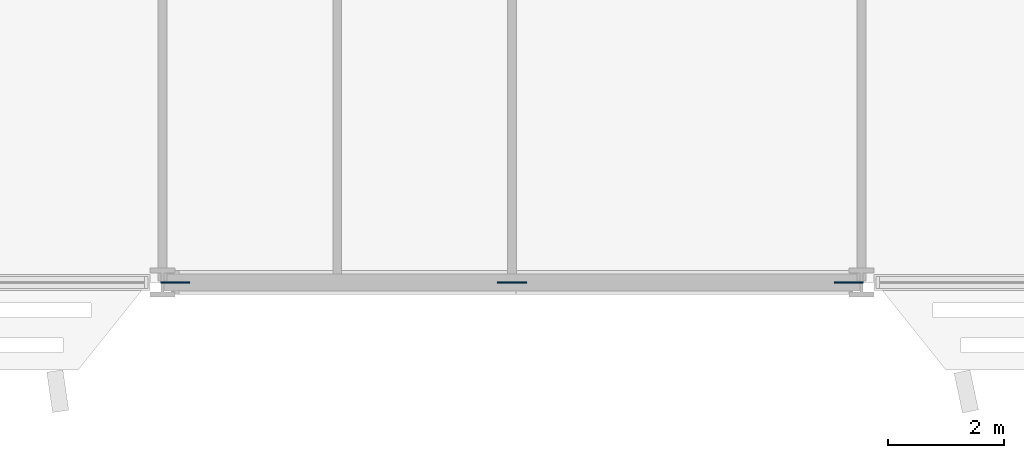
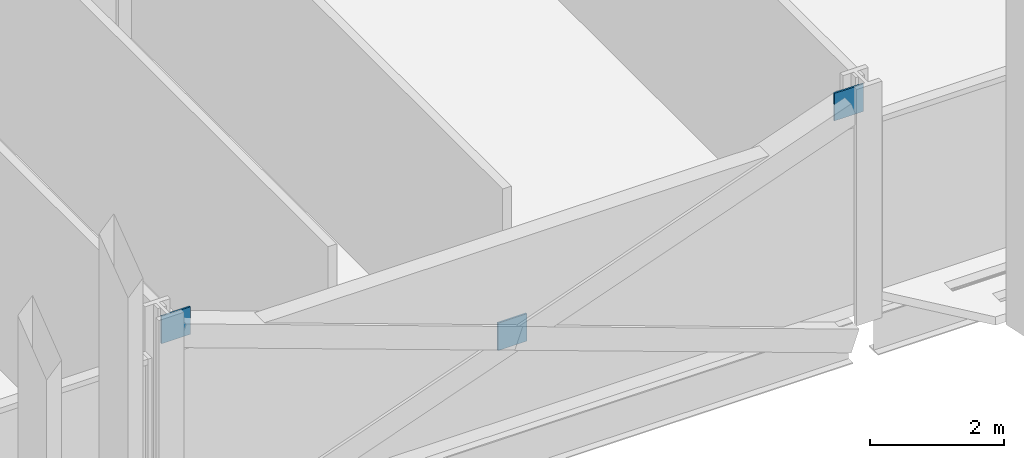
# One storey, part 18 of 29: 3 discrete accessories.
"""IFC4 building model written with IfcOpenShell, lengths in metres."""

from ifc_helpers import new_model, si_unit, direction, frame, origin, origin_2d, place, context, subcontext, project, spatial, rectangle, extrude, material, layer, layer_set, type_object, element, save


model = new_model("IFC4")

# Units and contexts
model_context = context("Model", 3, precision=1e-05, world=origin(), true_north=direction((0.0, 1.0)))
body_context = subcontext(model_context, "Body", "Model", "MODEL_VIEW")
ifc_project = project(units=[si_unit("LENGTHUNIT", "METRE"), si_unit("AREAUNIT", "SQUARE_METRE"), si_unit("VOLUMEUNIT", "CUBIC_METRE"), si_unit("PLANEANGLEUNIT", "RADIAN"), si_unit("MASSUNIT", "GRAM", prefix="KILO")], contexts=[model_context])

# Site, building, storey
site_placement = place(None, origin())
site = spatial("IfcSite", under=ifc_project, at=site_placement, CompositionType="ELEMENT")
building_placement = place(site_placement, origin())
building = spatial("IfcBuilding", under=site, at=building_placement, Name="Mahtab Terrace Research Tower", CompositionType="ELEMENT")
storey_placement = place(building_placement, frame((0.0, 0.0, 24.39990234375)))
storey = spatial("IfcBuildingStorey", under=building, at=storey_placement, Name="L05", CompositionType="ELEMENT", Elevation=24.39990234375)

# Discrete accessories
ifc_material = material(Name="Steel ASTM A992 Gr 50", Category="steel")
ifc_layer = layer(ifc_material, 0.030029296875)
ifc_layer_set = layer_set([ifc_layer], Name="Gusset plate 500x500x30")
discrete_accessory_type = type_object("IfcDiscreteAccessoryType", Name="Gusset plate 500x500x30", PredefinedType="USERDEFINED", material=ifc_layer_set)
for number, where, z_axis, x_axis, name in (
    (1, (-5.7841796875, -23.0, 3.33154296875), (0.0, 0.0, 1.0), (1.0, 0.0, 0.0), "Gusset plate"),
    (2, (0.0, -23.0, 1.181640625), (0.0, 0.0, 1.0), (1.0, 0.0, 0.0), "Gusset plate"),
    (3, (5.7841796875, -23.0, 3.33154296875), (0.0, 0.0, 1.0), (1.0, 0.0, 0.0), "Gusset plate"),
):
    element("IfcDiscreteAccessory", number, at=place(storey_placement, frame(where, z_axis=z_axis, x_axis=x_axis)), inside=storey, type_object=discrete_accessory_type, Name=name, ObjectType="GUSSET PLATE", PredefinedType="USERDEFINED", context=body_context, shape_type="SweptSolid", body=[
        extrude(rectangle(XDim=0.5, YDim=0.030029296875, at=origin_2d()), origin(), (0.0, 0.0, 1.0), 0.5),
    ])

save(model, "model.ifc")
